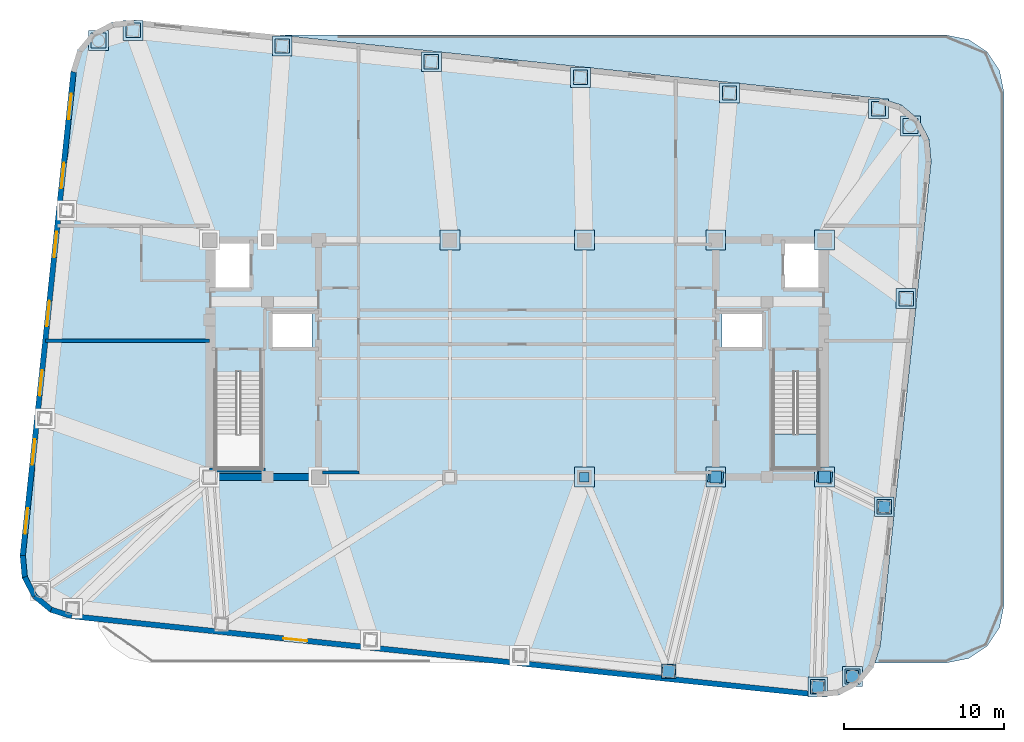
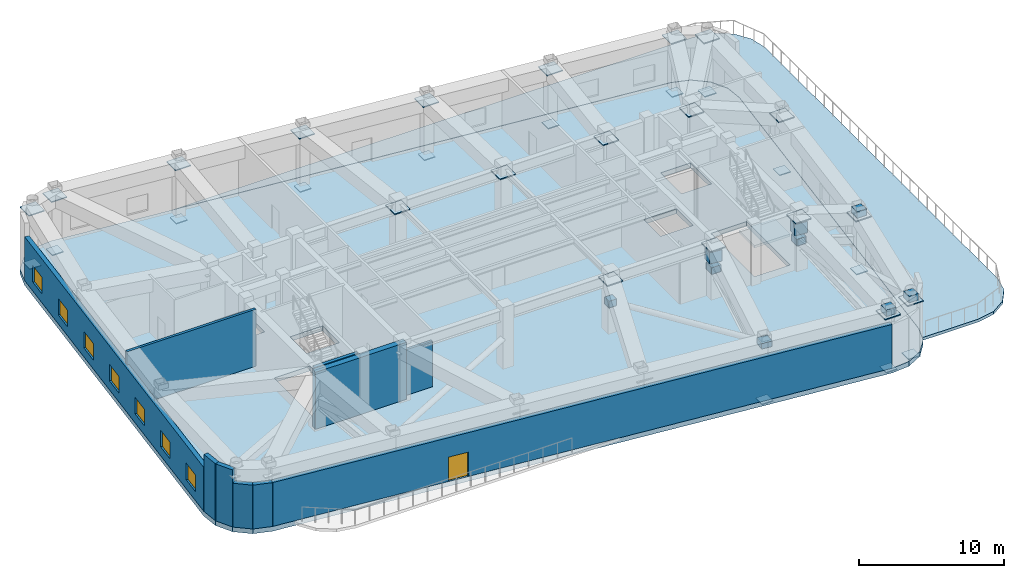
# One storey, part 3 of 9: 41 plates, 10 walls, 7 windows, 3 slabs, 1 door, 8 openings, 1 element without a shape of its own.
"""IFC4 building model written with IfcOpenShell, lengths in metres."""

from ifc_helpers import new_model, si_unit, direction, frame, frame_2d, origin, origin_2d, place, context, subcontext, project, spatial, polyline, rectangle, outline, extrude, material, layer, layer_set, type_object, element, fill, aggregate, save


model = new_model("IFC4")

# Units and contexts
model_context = context("Model", 3, precision=1e-05, world=origin(), true_north=direction((0.0, 1.0)))
body_context = subcontext(model_context, "Body", "Model", "MODEL_VIEW")
ifc_project = project(units=[si_unit("LENGTHUNIT", "METRE"), si_unit("AREAUNIT", "SQUARE_METRE"), si_unit("VOLUMEUNIT", "CUBIC_METRE"), si_unit("PLANEANGLEUNIT", "RADIAN"), si_unit("MASSUNIT", "GRAM", prefix="KILO")], contexts=[model_context])

# Site, building, storey
site_placement = place(None, origin())
site = spatial("IfcSite", under=ifc_project, at=site_placement, CompositionType="ELEMENT")
building_placement = place(site_placement, origin())
building = spatial("IfcBuilding", under=site, at=building_placement, Name="Voryun Gate Residences", CompositionType="ELEMENT")
storey_placement = place(building_placement, frame((0.0, 0.0, 254.800048828125)))
storey = spatial("IfcBuildingStorey", under=building, at=storey_placement, Name="L63", CompositionType="ELEMENT", Elevation=254.800048828125)

# Plates
ifc_material_1 = material(Name="Steel SM355", Category="steel")
ifc_layer_1 = layer(ifc_material_1, 0.02490234375, Name="PLT_END_CAP_25")
ifc_layer_set_1 = layer_set([ifc_layer_1], Name="Steel SM355")
plate_type_1 = type_object("IfcPlateType", Name="PLT_END_CAP_25", PredefinedType="USERDEFINED", material=ifc_layer_set_1)
for number, where, z_axis, x_axis, name in (
    (1, (9.4658203125, -19.518310546875, -0.440185546875), (0.0, 0.0, 1.0), (1.0, 0.0, 0.0), "L63 Hollow Member End-Cap Plate EC-742"),
    (2, (18.774658203125, -20.49658203125, -0.440185546875), (0.0, 0.0, 1.0), (1.0, 0.0, 0.0), "L63 Hollow Member End-Cap Plate EC-743"),
):
    element("IfcPlate", number, at=place(storey_placement, frame(where, z_axis=z_axis, x_axis=x_axis)), inside=storey, type_object=plate_type_1, Name=name, ObjectType="BASE_PLATE", PredefinedType="USERDEFINED", context=body_context, shape_type="SweptSolid", body=[
        extrude(rectangle(XDim=0.889892578125, YDim=0.889892578125, at=origin_2d()), origin(), (0.0, 0.0, 1.0), 0.080078125),
    ])
plate_1_placement = place(storey_placement, frame((20.939453125, -19.855224609375, -0.440185546875), z_axis=(0.0, 0.0, 1.0), x_axis=(1.0, 0.0, 0.0)))
element("IfcPlate", 3, at=plate_1_placement, inside=storey, type_object=plate_type_1, Name="L63 Hollow Member End-Cap Plate EC-744", ObjectType="BASE_PLATE", PredefinedType="USERDEFINED", context=body_context, shape_type="SweptSolid", body=[
    extrude(rectangle(XDim=0.93994140625, YDim=0.93994140625, at=origin_2d()), origin(), (0.0, 0.0, 1.0), 0.080078125),
])
for number, where, z_axis, x_axis, name in (
    (4, (22.922607421875, -9.25244140625, -0.440185546875), (0.0, 0.0, 1.0), (1.0, 0.0, 0.0), "L63 Hollow Member End-Cap Plate EC-745"),
    (5, (24.28857421875, 3.743896484375, -0.440185546875), (0.0, 0.0, 1.0), (1.0, 0.0, 0.0), "L63 Hollow Member End-Cap Plate EC-746"),
):
    element("IfcPlate", number, at=place(storey_placement, frame(where, z_axis=z_axis, x_axis=x_axis)), inside=storey, type_object=plate_type_1, Name=name, ObjectType="BASE_PLATE", PredefinedType="USERDEFINED", context=body_context, shape_type="SweptSolid", body=[
        extrude(rectangle(XDim=0.889892578125, YDim=0.889892578125, at=origin_2d()), origin(), (0.0, 0.0, 1.0), 0.080078125),
    ])
plate_2_placement = place(storey_placement, frame((24.55322265625, 14.52734375, -0.440185546875), z_axis=(0.0, 0.0, 1.0), x_axis=(1.0, 0.0, 0.0)))
element("IfcPlate", 6, at=plate_2_placement, inside=storey, type_object=plate_type_1, Name="L63 Hollow Member End-Cap Plate EC-747", ObjectType="BASE_PLATE", PredefinedType="USERDEFINED", context=body_context, shape_type="SweptSolid", body=[
    extrude(rectangle(XDim=0.93994140625, YDim=0.93994140625, at=origin_2d()), origin(), (0.0, 0.0, 1.0), 0.080078125),
])
for number, where, z_axis, x_axis, name in (
    (7, (22.569091796875, 15.6044921875, -0.440185546875), (0.0, 0.0, 1.0), (1.0, 0.0, 0.0), "L63 Hollow Member End-Cap Plate EC-748"),
    (8, (13.26025390625, 16.5830078125, -0.440185546875), (0.0, 0.0, 1.0), (1.0, 0.0, 0.0), "L63 Hollow Member End-Cap Plate EC-749"),
    (9, (3.95166015625, 17.561279296875, -0.440185546875), (0.0, 0.0, 1.0), (1.0, 0.0, 0.0), "L63 Hollow Member End-Cap Plate EC-750"),
    (10, (-5.357177734375, 18.539794921875, -0.440185546875), (0.0, 0.0, 1.0), (1.0, 0.0, 0.0), "L63 Hollow Member End-Cap Plate EC-751"),
    (11, (-14.666015625, 19.518310546875, -0.440185546875), (0.0, 0.0, 1.0), (1.0, 0.0, 0.0), "L63 Hollow Member End-Cap Plate EC-752"),
    (12, (-23.974609375, 20.49658203125, -0.440185546875), (0.0, 0.0, 1.0), (1.0, 0.0, 0.0), "L63 Hollow Member End-Cap Plate EC-753"),
):
    element("IfcPlate", number, at=place(storey_placement, frame(where, z_axis=z_axis, x_axis=x_axis)), inside=storey, type_object=plate_type_1, Name=name, ObjectType="BASE_PLATE", PredefinedType="USERDEFINED", context=body_context, shape_type="SweptSolid", body=[
        extrude(rectangle(XDim=0.889892578125, YDim=0.889892578125, at=origin_2d()), origin(), (0.0, 0.0, 1.0), 0.080078125),
    ])
plate_3_placement = place(storey_placement, frame((-26.139404296875, 19.855224609375, -0.440185546875), z_axis=(0.0, 0.0, 1.0), x_axis=(1.0, 0.0, 0.0)))
element("IfcPlate", 13, at=plate_3_placement, inside=storey, type_object=plate_type_1, Name="L63 Hollow Member End-Cap Plate EC-754", ObjectType="BASE_PLATE", PredefinedType="USERDEFINED", context=body_context, shape_type="SweptSolid", body=[
    extrude(rectangle(XDim=0.93994140625, YDim=0.93994140625, at=origin_2d()), origin(), (0.0, 0.0, 1.0), 0.080078125),
])
for number, where, z_axis, x_axis, name in (
    (14, (18.774658203125, -20.49658203125, 4.2099609375), (0.0, 0.0, 1.0), (1.0, 0.0, 0.0), "L63 Hollow Member End-Cap Plate EC-761"),
    (15, (20.939453125, -19.855224609375, 4.2099609375), (0.0, 0.0, 1.0), (1.0, 0.0, 0.0), "L63 Hollow Member End-Cap Plate EC-762"),
    (16, (22.922607421875, -9.25244140625, 4.2099609375), (0.0, 0.0, 1.0), (1.0, 0.0, 0.0), "L63 Hollow Member End-Cap Plate EC-763"),
    (17, (24.28857421875, 3.743896484375, 4.2099609375), (0.0, 0.0, 1.0), (1.0, 0.0, 0.0), "L63 Hollow Member End-Cap Plate EC-764"),
    (18, (24.55322265625, 14.52734375, 4.2099609375), (0.0, 0.0, 1.0), (1.0, 0.0, 0.0), "L63 Hollow Member End-Cap Plate EC-765"),
    (19, (22.569091796875, 15.6044921875, 4.2099609375), (0.0, 0.0, 1.0), (1.0, 0.0, 0.0), "L63 Hollow Member End-Cap Plate EC-766"),
    (20, (13.26025390625, 16.5830078125, 4.2099609375), (0.0, 0.0, 1.0), (1.0, 0.0, 0.0), "L63 Hollow Member End-Cap Plate EC-767"),
    (21, (3.95166015625, 17.561279296875, 4.2099609375), (0.0, 0.0, 1.0), (1.0, 0.0, 0.0), "L63 Hollow Member End-Cap Plate EC-768"),
    (22, (-5.357177734375, 18.539794921875, 4.2099609375), (0.0, 0.0, 1.0), (1.0, 0.0, 0.0), "L63 Hollow Member End-Cap Plate EC-769"),
    (23, (-14.666015625, 19.51806640625, 4.2099609375), (0.0, 0.0, 1.0), (1.0, 0.0, 0.0), "L63 Hollow Member End-Cap Plate EC-770"),
    (24, (-23.974609375, 20.49658203125, 4.2099609375), (0.0, 0.0, 1.0), (1.0, 0.0, 0.0), "L63 Hollow Member End-Cap Plate EC-771"),
    (25, (-26.139404296875, 19.855224609375, 4.2099609375), (0.0, 0.0, 1.0), (1.0, 0.0, 0.0), "L63 Hollow Member End-Cap Plate EC-772"),
    (26, (4.199951171875, -7.39990234375, 4.2099609375), (0.0, 0.0, 1.0), (1.0, 0.0, 0.0), "L63 Hollow Member End-Cap Plate EC-780"),
    (27, (12.39990234375, -7.39990234375, 4.2099609375), (0.0, 0.0, 1.0), (1.0, 0.0, 0.0), "L63 Hollow Member End-Cap Plate EC-781"),
    (28, (19.199951171875, -7.39990234375, 4.2099609375), (0.0, 0.0, 1.0), (1.0, 0.0, 0.0), "L63 Hollow Member End-Cap Plate EC-782"),
    (29, (19.199951171875, 7.39990234375, 4.2099609375), (0.0, 0.0, 1.0), (1.0, 0.0, 0.0), "L63 Hollow Member End-Cap Plate EC-783"),
    (30, (12.39990234375, 7.39990234375, 4.2099609375), (0.0, 0.0, 1.0), (1.0, 0.0, 0.0), "L63 Hollow Member End-Cap Plate EC-784"),
    (31, (4.199951171875, 7.39990234375, 4.2099609375), (0.0, 0.0, 1.0), (1.0, 0.0, 0.0), "L63 Hollow Member End-Cap Plate EC-785"),
    (32, (-4.199951171875, 7.39990234375, 4.2099609375), (0.0, 0.0, 1.0), (1.0, 0.0, 0.0), "L63 Hollow Member End-Cap Plate EC-786"),
):
    element("IfcPlate", number, at=place(storey_placement, frame(where, z_axis=z_axis, x_axis=x_axis)), inside=storey, type_object=plate_type_1, Name=name, ObjectType="BASE_PLATE", PredefinedType="USERDEFINED", context=body_context, shape_type="SweptSolid", body=[
        extrude(rectangle(XDim=1.239990234375, YDim=1.239990234375, at=origin_2d()), origin(), (0.0, 0.0, 1.0), 0.080078125),
    ])
for number, where, z_axis, x_axis, name in (
    (33, (19.199951171875, -7.39990234375, 2.119873046875), (0.0, 0.0, 1.0), (1.0, 0.0, 0.0), "L63 Brace Node Connection Plate BN-794"),
    (34, (20.939453125, -19.855224609375, 4.27001953125), (0.0, 0.0, 1.0), (1.0, 0.0, 0.0), "L63 Brace Node Connection Plate BN-796"),
):
    element("IfcPlate", number, at=place(storey_placement, frame(where, z_axis=z_axis, x_axis=x_axis)), inside=storey, type_object=plate_type_1, Name=name, ObjectType="BASE_PLATE", PredefinedType="USERDEFINED", context=body_context, shape_type="SweptSolid", body=[
        extrude(rectangle(XDim=0.739990234375, YDim=0.739990234375, at=origin_2d()), origin(), (0.0, 0.0, 1.0), 0.56005859375),
    ])
ifc_material_2 = material(Name="Steel SM420", Category="steel")
ifc_layer_2 = layer(ifc_material_2, 0.035888671875, Name="PLT_OUTRIGGER_GUSSET_36")
ifc_layer_set_2 = layer_set([ifc_layer_2], Name="Steel SM420")
plate_type_2 = type_object("IfcPlateType", Name="PLT_OUTRIGGER_GUSSET_36", PredefinedType="USERDEFINED", material=ifc_layer_set_2)
for number, where, z_axis, x_axis, name in (
    (35, (12.39990234375, -7.39990234375, 3.0), (0.0, 0.0, 1.0), (0.994521895368, -0.104528463268, 0.0), "L63 Outrigger Gusset Plate ON-S5"),
    (36, (19.199951171875, -7.39990234375, 3.0), (0.0, 0.0, 1.0), (0.994521895368, -0.104528463268, 0.0), "L63 Outrigger Gusset Plate ON-S6"),
):
    element("IfcPlate", number, at=place(storey_placement, frame(where, z_axis=z_axis, x_axis=x_axis)), inside=storey, type_object=plate_type_2, Name=name, ObjectType="GUSSET_PLATE", PredefinedType="USERDEFINED", context=body_context, shape_type="SweptSolid", body=[
        extrude(rectangle(XDim=0.949951171875, YDim=0.719970703125, at=origin_2d()), origin(), (0.0, 0.0, 1.0), 0.949951171875),
    ])
plate_4_placement = place(storey_placement, frame((4.199951171875, -7.39990234375, 2.099853515625), z_axis=(0.0, 0.0, 1.0), x_axis=(1.0, 0.0, 0.0)))
element("IfcPlate", 37, at=plate_4_placement, inside=storey, type_object=plate_type_2, Name="L63 Brace Node Connection Plate BN-777", ObjectType="GUSSET_PLATE", PredefinedType="USERDEFINED", context=body_context, shape_type="SweptSolid", body=[
    extrude(rectangle(XDim=0.60009765625, YDim=0.60009765625, at=origin_2d()), origin(), (0.0, 0.0, 1.0), 0.56005859375),
])
for number, where, z_axis, x_axis, name in (
    (38, (12.39990234375, -7.39990234375, 2.119873046875), (0.0, 0.0, 1.0), (1.0, 0.0, 0.0), "L63 Brace Node Connection Plate BN-793"),
    (39, (18.774658203125, -20.49658203125, 4.27001953125), (0.0, 0.0, 1.0), (1.0, 0.0, 0.0), "L63 Brace Node Connection Plate BN-795"),
    (40, (22.922607421875, -9.25244140625, 4.27001953125), (0.0, 0.0, 1.0), (1.0, 0.0, 0.0), "L63 Brace Node Connection Plate BN-797"),
):
    element("IfcPlate", number, at=place(storey_placement, frame(where, z_axis=z_axis, x_axis=x_axis)), inside=storey, type_object=plate_type_2, Name=name, ObjectType="GUSSET_PLATE", PredefinedType="USERDEFINED", context=body_context, shape_type="SweptSolid", body=[
        extrude(rectangle(XDim=0.739990234375, YDim=0.739990234375, at=origin_2d()), origin(), (0.0, 0.0, 1.0), 0.56005859375),
    ])
ifc_material_3 = material(Name="Steel SM420", Category="steel")
ifc_layer_3 = layer(ifc_material_3, 0.031982421875, Name="PLT_SPLICE_PLATE_32")
ifc_layer_set_3 = layer_set([ifc_layer_3], Name="Steel SM420")
plate_type_3 = type_object("IfcPlateType", Name="PLT_SPLICE_PLATE_32", PredefinedType="USERDEFINED", material=ifc_layer_set_3)
plate_5_placement = place(storey_placement, frame((9.4658203125, -19.51806640625, 4.22509765625), z_axis=(0.0, 0.0, 1.0), x_axis=(0.994521895368, -0.104528463268, 0.0)))
element("IfcPlate", 41, at=plate_5_placement, inside=storey, type_object=plate_type_3, Name="L63 Mechanical Strut Splice Plate KN-S5", ObjectType="SPLICE_PLATE", PredefinedType="USERDEFINED", context=body_context, shape_type="SweptSolid", body=[
    extrude(rectangle(XDim=0.800048828125, YDim=0.800048828125, at=origin_2d()), origin(), (0.0, 0.0, 1.0), 0.449951171875),
])

# Stair, slab
ifc_material_4 = material(Name="Concrete C40/50", Category="concrete")
stair_type = type_object("IfcStairType", Name="STR_CORE_DOGLEG_1350", PredefinedType="HALF_TURN_STAIR", material=ifc_material_4)
stair_placement = place(storey_placement, origin())
stair = element("IfcStair", 42, at=stair_placement, inside=storey, type_object=stair_type, Name="L63 Special Escape Stair ST-E1", PredefinedType="HALF_TURN_STAIR")
ifc_material_5 = material(Name="Concrete C40/50", Category="concrete")
ifc_layer_4 = layer(ifc_material_5, 0.199951171875, Name="SLB_STAIR_LANDING_200")
ifc_layer_set_4 = layer_set([ifc_layer_4], Name="Concrete C40/50")
slab_type_1 = type_object("IfcSlabType", Name="SLB_STAIR_LANDING_200", PredefinedType="LANDING", material=ifc_layer_set_4)
slab_1_placement = place(storey_placement, frame((0.0, 0.0, 2.39990234375)))
slab_1 = element("IfcSlab", 43, at=slab_1_placement, type_object=slab_type_1, Name="ST-E1 landing 1", PredefinedType="LANDING", context=body_context, shape_type="SweptSolid", body=[
    extrude(outline(polyline([(15.97509765625, -4.719970703125), (15.97509765625, -6.85009765625), (18.824951171875, -6.85009765625), (18.824951171875, -4.719970703125), (15.97509765625, -4.719970703125)])), origin(), (0.0, 0.0, 1.0), 0.199951171875),
])
aggregate(stair, [slab_1])

# Slabs
ifc_material_6 = material(Name="Concrete C40/50", Category="concrete")
ifc_layer_5 = layer(ifc_material_6, 0.239990234375, Name="SLB_TERRACE_ROOF_240")
ifc_layer_set_5 = layer_set([ifc_layer_5], Name="Concrete C40/50")
slab_type_2 = type_object("IfcSlabType", Name="SLB_TERRACE_ROOF_240", PredefinedType="ROOF", material=ifc_layer_set_5)
slab_2_placement = place(storey_placement, frame((0.0, 0.0, -0.239990234375)))
element("IfcSlab", 44, at=slab_2_placement, inside=storey, type_object=slab_type_2, Name="Spiralling Setback Sky-Garden Terrace Roof 1", PredefinedType="ROOF", context=body_context, shape_type="SweptSolid", body=[
    extrude(outline(polyline([(26.800048828125, 20.199951171875), (28.177734375, 19.926025390625), (29.345458984375, 19.1455078125), (30.1259765625, 17.9775390625), (30.39990234375, 16.60009765625), (30.39990234375, -15.39990234375), (30.1259765625, -16.777587890625), (29.345458984375, -17.945556640625), (28.177734375, -18.72607421875), (26.800048828125, -19.0), (22.339111328125, -19.0), (22.66796875, -17.9404296875), (22.668212890625, -17.93994140625), (22.668212890625, -17.939453125), (25.845947265625, 12.2939453125), (25.845947265625, 12.29443359375), (25.845947265625, 12.294921875), (25.71728515625, 13.693603515625), (25.71728515625, 13.694091796875), (25.71728515625, 13.694580078125), (25.717041015625, 13.695068359375), (25.716796875, 13.695556640625), (25.062744140625, 14.938720703125), (25.0625, 14.93896484375), (25.062255859375, 14.939453125), (25.06201171875, 14.93994140625), (25.0615234375, 14.940185546875), (23.981689453125, 15.83837890625), (23.981201171875, 15.838623046875), (23.980712890625, 15.8388671875), (23.98046875, 15.839111328125), (23.97998046875, 15.83935546875), (22.638427734375, 16.255859375), (22.637939453125, 16.255859375), (22.637451171875, 16.256103515625), (-14.886962890625, 20.199951171875), (26.800048828125, 20.199951171875)])), origin(), (0.0, 0.0, 1.0), 0.239990234375),
])
ifc_material_7 = material(Name="Concrete C50/60", Category="concrete")
ifc_layer_6 = layer(ifc_material_7, 0.39990234375, Name="SLB_XFER_400")
ifc_layer_set_6 = layer_set([ifc_layer_6], Name="Concrete C50/60")
slab_type_3 = type_object("IfcSlabType", Name="SLB_XFER_400", PredefinedType="FLOOR", material=ifc_layer_set_6)
slab_3_placement = place(storey_placement, frame((0.0, 0.0, -0.400146484375)))
element("IfcSlab", 45, at=slab_3_placement, inside=storey, type_object=slab_type_3, Name="L63 Structural Floor Slab", PredefinedType="FLOOR", context=body_context, shape_type="SweptSolid", body=[
    extrude(outline(polyline([(-27.8369140625, -16.2509765625), (-29.178466796875, -15.83447265625), (-30.25830078125, -14.936279296875), (-30.912353515625, -13.693115234375), (-31.041015625, -12.29443359375), (-27.86328125, 17.93896484375), (-27.44677734375, 19.280517578125), (-26.548583984375, 20.3603515625), (-25.305419921875, 21.014404296875), (-23.90673828125, 21.14306640625), (22.636962890625, 16.2509765625), (23.978515625, 15.83447265625), (25.058349609375, 14.936279296875), (25.71240234375, 13.693115234375), (25.8408203125, 12.29443359375), (22.663330078125, -17.93896484375), (22.246826171875, -19.280517578125), (21.3486328125, -20.3603515625), (20.10546875, -21.014404296875), (18.706787109375, -21.14306640625), (-27.8369140625, -16.2509765625)]), holes=[polyline([(-15.97509765625, -0.840087890625), (-18.824951171875, -0.840087890625), (-18.824951171875, -6.85009765625), (-15.97509765625, -6.85009765625), (-15.97509765625, -0.840087890625)]), polyline([(18.824951171875, -6.85009765625), (18.824951171875, -0.840087890625), (15.97509765625, -0.840087890625), (15.97509765625, -6.85009765625), (18.824951171875, -6.85009765625)]), polyline([(-12.800048828125, 2.89990234375), (-15.39990234375, 2.89990234375), (-15.39990234375, 0.60009765625), (-12.800048828125, 0.60009765625), (-12.800048828125, 2.89990234375)]), polyline([(12.800048828125, 2.89990234375), (12.800048828125, 0.60009765625), (15.39990234375, 0.60009765625), (15.39990234375, 2.89990234375), (12.800048828125, 2.89990234375)]), polyline([(-16.60009765625, 7.199951171875), (-19.0, 7.199951171875), (-19.0, 4.300048828125), (-16.60009765625, 4.300048828125), (-16.60009765625, 7.199951171875)]), polyline([(19.0, 7.199951171875), (16.60009765625, 7.199951171875), (16.60009765625, 4.300048828125), (19.0, 4.300048828125), (19.0, 7.199951171875)])]), origin(), (0.0, 0.0, 1.0), 0.400146484375),
])

# Walls
ifc_material_8 = material(Name="Concrete C50/60", Category="concrete")
ifc_layer_7 = layer(ifc_material_8, 0.449951171875, Name="CW_CORE_450")
ifc_layer_set_7 = layer_set([ifc_layer_7], Name="Concrete C50/60")
wall_type_1 = type_object("IfcWallType", Name="CW_CORE_450", PredefinedType="SHEAR", material=ifc_layer_set_7)
wall_1_placement = place(storey_placement, frame((-19.425048828125, -7.39990234375, 0.0), z_axis=(0.0, 0.0, 1.0), x_axis=(1.0, 0.0, 0.0)))
element("IfcWall", 46, at=wall_1_placement, inside=storey, type_object=wall_type_1, Name="L63 Core shear wall CW-L63-WS", PredefinedType="SHEAR", context=body_context, shape_type="SweptSolid", body=[
    extrude(rectangle(XDim=7.25, YDim=0.449951171875, at=frame_2d((3.625, 0.0))), origin(), (0.0, 0.0, 1.0), 4.800048828125),
])
ifc_material_9 = material(Name="Gypsum acoustic fireboard")
ifc_layer_8 = layer(ifc_material_9, 0.179931640625, Name="W_CORR_RATED_180")
ifc_layer_set_8 = layer_set([ifc_layer_8], Name="Gypsum acoustic fireboard")
wall_type_2 = type_object("IfcWallType", Name="W_CORR_RATED_180", PredefinedType="PARTITIONING", material=ifc_layer_set_8)
wall_2_placement = place(storey_placement, frame((-12.14990234375, -7.1201171875, 0.0), z_axis=(0.0, 0.0, 1.0), x_axis=(1.0, 0.0, 0.0)))
element("IfcWall", 47, at=wall_2_placement, inside=storey, type_object=wall_type_2, Name="Partition wall WP-L63-PLBS-W", PredefinedType="PARTITIONING", context=body_context, shape_type="SweptSolid", body=[
    extrude(rectangle(XDim=2.27001953125, YDim=0.179931640625, at=frame_2d((1.135009765625, 0.0))), origin(), (0.0, 0.0, 1.0), 3.83984375),
])

# Wall, opening, door
ifc_material_10 = material(Name="Charcoal terracotta masonry", Category="masonry")
ifc_layer_9 = layer(ifc_material_10, 0.340087890625, Name="W_EXT_TERRACOTTA_340")
ifc_layer_set_9 = layer_set([ifc_layer_9], Name="Charcoal terracotta masonry")
wall_type_3 = type_object("IfcWallType", Name="W_EXT_TERRACOTTA_340", PredefinedType="ELEMENTEDWALL", material=ifc_layer_set_9)
wall_3_placement = place(storey_placement, frame((18.707763671875, -20.97216796875, 0.0), z_axis=(0.0, 0.0, 1.0), x_axis=(-0.994521888554, 0.104528528102, 0.0)))
wall_3 = element("IfcWall", 48, at=wall_3_placement, inside=storey, type_object=wall_type_3, Name="Exterior wall WEXT-L63-01", PredefinedType="ELEMENTEDWALL", context=body_context, shape_type="SweptSolid", body=[
    extrude(rectangle(XDim=46.766357421875, YDim=0.340087890625, at=frame_2d((23.38330078125, 0.0))), origin(), (0.0, 0.0, 1.0), 3.68994140625),
])
opening_1_placement = place(wall_3_placement, frame((31.987060546875, 0.0, 0.0)))
opening_1 = element("IfcOpeningElement", 49, at=opening_1_placement, cuts=wall_3, Name="Opening D-TER-1", PredefinedType="OPENING", context=body_context, shape_type="SweptSolid", body=[
    extrude(rectangle(XDim=1.5, YDim=2.050048828125, at=frame_2d((0.75, 1.02490234375))), frame((0.0, 0.179931640625, 0.0), z_axis=(0.0, -1.0, 0.0), x_axis=(1.0, 0.0, 0.0)), (0.0, 0.0, 1.0), 0.360107421875),
])
ifc_material_11 = material(Name="Thermally broken aluminium and low-E glass", Category="aluminium")
door_type = type_object("IfcDoorType", Name="DR_TERR_EXIT_1500", OperationType="NOTDEFINED", PredefinedType="DOOR", material=ifc_material_11)
door_placement = place(opening_1_placement, origin())
door = element("IfcDoor", 50, at=door_placement, inside=storey, type_object=door_type, Name="Door DR-L63-OUT-02", OperationType="DOUBLE_DOOR_SINGLE_SWING", OverallHeight=2.050048828125, OverallWidth=1.5, PredefinedType="DOOR", context=body_context, shape_type="SweptSolid", body=[
    extrude(rectangle(XDim=1.5, YDim=2.050048828125, at=frame_2d((0.75, 1.02490234375))), frame((0.0, 0.02490234375, 0.0), z_axis=(0.0, -1.0, 0.0), x_axis=(1.0, 0.0, 0.0)), (0.0, 0.0, 1.0), 0.050048828125),
])
fill(opening_1, door)

# Walls
wall_4_placement = place(storey_placement, frame((-27.802490234375, -16.083740234375, 0.0), z_axis=(0.0, 0.0, 1.0), x_axis=(-0.955007802701, 0.296580674994, 0.0)))
element("IfcWall", 51, at=wall_4_placement, inside=storey, type_object=wall_type_3, Name="Exterior wall WEXT-L63-02", PredefinedType="ELEMENTEDWALL", context=body_context, shape_type="SweptSolid", body=[
    extrude(rectangle(XDim=1.354248046875, YDim=0.340087890625, at=frame_2d((0.67724609375, 0.0))), origin(), (0.0, 0.0, 1.0), 3.68994140625),
])
wall_5_placement = place(storey_placement, frame((-29.095703125, -15.68212890625, 0.0), z_axis=(0.0, 0.0, 1.0), x_axis=(-0.768864427906, 0.639411832469, 0.0)))
element("IfcWall", 52, at=wall_5_placement, inside=storey, type_object=wall_type_3, Name="Exterior wall WEXT-L63-03", PredefinedType="ELEMENTEDWALL", context=body_context, shape_type="SweptSolid", body=[
    extrude(rectangle(XDim=1.337158203125, YDim=0.340087890625, at=frame_2d((0.66845703125, 0.0))), origin(), (0.0, 0.0, 1.0), 3.68994140625),
])
wall_6_placement = place(storey_placement, frame((-30.123779296875, -14.8271484375, 0.0), z_axis=(0.0, 0.0, 1.0), x_axis=(-0.465528132217, 0.885033083062, 0.0)))
element("IfcWall", 53, at=wall_6_placement, inside=storey, type_object=wall_type_3, Name="Exterior wall WEXT-L63-04", PredefinedType="ELEMENTEDWALL", context=body_context, shape_type="SweptSolid", body=[
    extrude(rectangle(XDim=1.3369140625, YDim=0.340087890625, at=frame_2d((0.66845703125, 0.0))), origin(), (0.0, 0.0, 1.0), 4.800048828125),
])
wall_7_placement = place(storey_placement, frame((-30.74609375, -13.64404296875, 0.0), z_axis=(0.0, 0.0, 1.0), x_axis=(-0.091592370975, 0.995796584438, 0.0)))
element("IfcWall", 54, at=wall_7_placement, inside=storey, type_object=wall_type_3, Name="Exterior wall WEXT-L63-05", PredefinedType="ELEMENTEDWALL", context=body_context, shape_type="SweptSolid", body=[
    extrude(rectangle(XDim=1.35400390625, YDim=0.340087890625, at=frame_2d((0.677001953125, 0.0))), origin(), (0.0, 0.0, 1.0), 4.800048828125),
])

# Wall, openings, windows
wall_8_placement = place(storey_placement, frame((-30.8701171875, -12.295654296875, 0.0), z_axis=(0.0, 0.0, 1.0), x_axis=(0.104533282919, 0.994521388791, 0.0)))
wall_8 = element("IfcWall", 55, at=wall_8_placement, inside=storey, type_object=wall_type_3, Name="Exterior wall WEXT-L63-06", PredefinedType="ELEMENTEDWALL", context=body_context, shape_type="SweptSolid", body=[
    extrude(rectangle(XDim=30.366455078125, YDim=0.340087890625, at=frame_2d((15.18310546875, 0.0))), origin(), (0.0, 0.0, 1.0), 3.68994140625),
])
opening_2_placement = place(wall_8_placement, frame((1.368896484375, 0.0, 0.75)))
opening_2 = element("IfcOpeningElement", 56, at=opening_2_placement, cuts=wall_8, Name="Opening WN8", PredefinedType="OPENING", context=body_context, shape_type="SweptSolid", body=[
    extrude(rectangle(XDim=1.60009765625, YDim=1.39990234375, at=frame_2d((0.800048828125, 0.699951171875))), frame((0.0, 0.179931640625, 0.0), z_axis=(0.0, -1.0, 0.0), x_axis=(1.0, 0.0, 0.0)), (0.0, 0.0, 1.0), 0.360107421875),
])
opening_3_placement = place(wall_8_placement, frame((5.70703125, 0.0, 0.75)))
opening_3 = element("IfcOpeningElement", 57, at=opening_3_placement, cuts=wall_8, Name="Opening WN8", PredefinedType="OPENING", context=body_context, shape_type="SweptSolid", body=[
    extrude(rectangle(XDim=1.60009765625, YDim=1.39990234375, at=frame_2d((0.800048828125, 0.699951171875))), frame((0.0, 0.179931640625, 0.0), z_axis=(0.0, -1.0, 0.0), x_axis=(1.0, 0.0, 0.0)), (0.0, 0.0, 1.0), 0.360107421875),
])
opening_4_placement = place(wall_8_placement, frame((10.045166015625, 0.0, 0.75)))
opening_4 = element("IfcOpeningElement", 58, at=opening_4_placement, cuts=wall_8, Name="Opening WN8", PredefinedType="OPENING", context=body_context, shape_type="SweptSolid", body=[
    extrude(rectangle(XDim=1.60009765625, YDim=1.39990234375, at=frame_2d((0.800048828125, 0.699951171875))), frame((0.0, 0.179931640625, 0.0), z_axis=(0.0, -1.0, 0.0), x_axis=(1.0, 0.0, 0.0)), (0.0, 0.0, 1.0), 0.360107421875),
])
opening_5_placement = place(wall_8_placement, frame((14.38330078125, 0.0, 0.75)))
opening_5 = element("IfcOpeningElement", 59, at=opening_5_placement, cuts=wall_8, Name="Opening WN8", PredefinedType="OPENING", context=body_context, shape_type="SweptSolid", body=[
    extrude(rectangle(XDim=1.60009765625, YDim=1.39990234375, at=frame_2d((0.800048828125, 0.699951171875))), frame((0.0, 0.179931640625, 0.0), z_axis=(0.0, -1.0, 0.0), x_axis=(1.0, 0.0, 0.0)), (0.0, 0.0, 1.0), 0.360107421875),
])
opening_6_placement = place(wall_8_placement, frame((18.721435546875, 0.0, 0.75)))
opening_6 = element("IfcOpeningElement", 60, at=opening_6_placement, cuts=wall_8, Name="Opening WN8", PredefinedType="OPENING", context=body_context, shape_type="SweptSolid", body=[
    extrude(rectangle(XDim=1.60009765625, YDim=1.39990234375, at=frame_2d((0.800048828125, 0.699951171875))), frame((0.0, 0.179931640625, 0.0), z_axis=(0.0, -1.0, 0.0), x_axis=(1.0, 0.0, 0.0)), (0.0, 0.0, 1.0), 0.360107421875),
])
opening_7_placement = place(wall_8_placement, frame((23.059326171875, 0.0, 0.75)))
opening_7 = element("IfcOpeningElement", 61, at=opening_7_placement, cuts=wall_8, Name="Opening WN8", PredefinedType="OPENING", context=body_context, shape_type="SweptSolid", body=[
    extrude(rectangle(XDim=1.60009765625, YDim=1.39990234375, at=frame_2d((0.800048828125, 0.699951171875))), frame((0.0, 0.179931640625, 0.0), z_axis=(0.0, -1.0, 0.0), x_axis=(1.0, 0.0, 0.0)), (0.0, 0.0, 1.0), 0.360107421875),
])
opening_8_placement = place(wall_8_placement, frame((27.3974609375, 0.0, 0.75)))
opening_8 = element("IfcOpeningElement", 62, at=opening_8_placement, cuts=wall_8, Name="Opening WN8", PredefinedType="OPENING", context=body_context, shape_type="SweptSolid", body=[
    extrude(rectangle(XDim=1.60009765625, YDim=1.39990234375, at=frame_2d((0.800048828125, 0.699951171875))), frame((0.0, 0.179931640625, 0.0), z_axis=(0.0, -1.0, 0.0), x_axis=(1.0, 0.0, 0.0)), (0.0, 0.0, 1.0), 0.360107421875),
])
ifc_material_12 = material(Name="Anodised aluminium", Category="aluminium")
window_type = type_object("IfcWindowType", Name="WN_REFUGE_LOUVRE_1600", PartitioningType="SINGLE_PANEL", PredefinedType="WINDOW", material=ifc_material_12)
window_1_placement = place(opening_2_placement, origin())
window_1 = element("IfcWindow", 63, at=window_1_placement, inside=storey, type_object=window_type, Name="Window WN-L63-LV-06-01", OverallHeight=1.39990234375, OverallWidth=1.60009765625, PartitioningType="SINGLE_PANEL", PredefinedType="WINDOW", context=body_context, shape_type="SweptSolid", body=[
    extrude(rectangle(XDim=1.60009765625, YDim=1.39990234375, at=frame_2d((0.800048828125, 0.699951171875))), frame((0.0, 0.030029296875, 0.0), z_axis=(0.0, -1.0, 0.0), x_axis=(1.0, 0.0, 0.0)), (0.0, 0.0, 1.0), 0.06005859375),
])
fill(opening_2, window_1)
window_2_placement = place(opening_3_placement, origin())
window_2 = element("IfcWindow", 64, at=window_2_placement, inside=storey, type_object=window_type, Name="Window WN-L63-LV-06-02", OverallHeight=1.39990234375, OverallWidth=1.60009765625, PartitioningType="SINGLE_PANEL", PredefinedType="WINDOW", context=body_context, shape_type="SweptSolid", body=[
    extrude(rectangle(XDim=1.60009765625, YDim=1.39990234375, at=frame_2d((0.800048828125, 0.699951171875))), frame((0.0, 0.030029296875, 0.0), z_axis=(0.0, -1.0, 0.0), x_axis=(1.0, 0.0, 0.0)), (0.0, 0.0, 1.0), 0.06005859375),
])
fill(opening_3, window_2)
window_3_placement = place(opening_4_placement, origin())
window_3 = element("IfcWindow", 65, at=window_3_placement, inside=storey, type_object=window_type, Name="Window WN-L63-LV-06-03", OverallHeight=1.39990234375, OverallWidth=1.60009765625, PartitioningType="SINGLE_PANEL", PredefinedType="WINDOW", context=body_context, shape_type="SweptSolid", body=[
    extrude(rectangle(XDim=1.60009765625, YDim=1.39990234375, at=frame_2d((0.800048828125, 0.699951171875))), frame((0.0, 0.030029296875, 0.0), z_axis=(0.0, -1.0, 0.0), x_axis=(1.0, 0.0, 0.0)), (0.0, 0.0, 1.0), 0.06005859375),
])
fill(opening_4, window_3)
window_4_placement = place(opening_5_placement, origin())
window_4 = element("IfcWindow", 66, at=window_4_placement, inside=storey, type_object=window_type, Name="Window WN-L63-LV-06-04", OverallHeight=1.39990234375, OverallWidth=1.60009765625, PartitioningType="SINGLE_PANEL", PredefinedType="WINDOW", context=body_context, shape_type="SweptSolid", body=[
    extrude(rectangle(XDim=1.60009765625, YDim=1.39990234375, at=frame_2d((0.800048828125, 0.699951171875))), frame((0.0, 0.030029296875, 0.0), z_axis=(0.0, -1.0, 0.0), x_axis=(1.0, 0.0, 0.0)), (0.0, 0.0, 1.0), 0.06005859375),
])
fill(opening_5, window_4)
window_5_placement = place(opening_6_placement, origin())
window_5 = element("IfcWindow", 67, at=window_5_placement, inside=storey, type_object=window_type, Name="Window WN-L63-LV-06-05", OverallHeight=1.39990234375, OverallWidth=1.60009765625, PartitioningType="SINGLE_PANEL", PredefinedType="WINDOW", context=body_context, shape_type="SweptSolid", body=[
    extrude(rectangle(XDim=1.60009765625, YDim=1.39990234375, at=frame_2d((0.800048828125, 0.699951171875))), frame((0.0, 0.030029296875, 0.0), z_axis=(0.0, -1.0, 0.0), x_axis=(1.0, 0.0, 0.0)), (0.0, 0.0, 1.0), 0.06005859375),
])
fill(opening_6, window_5)
window_6_placement = place(opening_7_placement, origin())
window_6 = element("IfcWindow", 68, at=window_6_placement, inside=storey, type_object=window_type, Name="Window WN-L63-LV-06-06", OverallHeight=1.39990234375, OverallWidth=1.60009765625, PartitioningType="SINGLE_PANEL", PredefinedType="WINDOW", context=body_context, shape_type="SweptSolid", body=[
    extrude(rectangle(XDim=1.60009765625, YDim=1.39990234375, at=frame_2d((0.800048828125, 0.699951171875))), frame((0.0, 0.030029296875, 0.0), z_axis=(0.0, -1.0, 0.0), x_axis=(1.0, 0.0, 0.0)), (0.0, 0.0, 1.0), 0.06005859375),
])
fill(opening_7, window_6)
window_7_placement = place(opening_8_placement, origin())
window_7 = element("IfcWindow", 69, at=window_7_placement, inside=storey, type_object=window_type, Name="Window WN-L63-LV-06-07", OverallHeight=1.39990234375, OverallWidth=1.60009765625, PartitioningType="SINGLE_PANEL", PredefinedType="WINDOW", context=body_context, shape_type="SweptSolid", body=[
    extrude(rectangle(XDim=1.60009765625, YDim=1.39990234375, at=frame_2d((0.800048828125, 0.699951171875))), frame((0.0, 0.030029296875, 0.0), z_axis=(0.0, -1.0, 0.0), x_axis=(1.0, 0.0, 0.0)), (0.0, 0.0, 1.0), 0.06005859375),
])
fill(opening_8, window_7)

# Walls
ifc_material_13 = material(Name="Concrete C40/50", Category="concrete")
ifc_layer_10 = layer(ifc_material_13, 0.199951171875, Name="W_FF_LOBBY_200")
ifc_layer_set_10 = layer_set([ifc_layer_10], Name="Concrete C40/50")
wall_type_4 = type_object("IfcWallType", Name="W_FF_LOBBY_200", PredefinedType="PARTITIONING", material=ifc_layer_set_10)
wall_9_placement = place(storey_placement, frame((-29.460205078125, 1.1201171875, 0.0), z_axis=(0.0, 0.0, 1.0), x_axis=(1.0, 0.0, 0.0)))
element("IfcWall", 70, at=wall_9_placement, inside=storey, type_object=wall_type_4, Name="Partition wall WP-L63-PWN", PredefinedType="PARTITIONING", context=body_context, shape_type="SweptSolid", body=[
    extrude(rectangle(XDim=10.26025390625, YDim=0.199951171875, at=frame_2d((5.130126953125, 0.0))), origin(), (0.0, 0.0, 1.0), 4.800048828125),
])
ifc_material_14 = material(Name="Concrete C50/60", Category="concrete")
ifc_layer_11 = layer(ifc_material_14, 0.25, Name="W_SHAFT_RC250")
ifc_layer_set_11 = layer_set([ifc_layer_11], Name="Concrete C50/60")
wall_type_5 = type_object("IfcWallType", Name="W_SHAFT_RC250", PredefinedType="SOLIDWALL", material=ifc_layer_set_11)
wall_10_placement = place(storey_placement, frame((-19.199951171875, -6.965087890625, 0.0), z_axis=(0.0, 0.0, 1.0), x_axis=(1.0, 0.0, 0.0)))
element("IfcWall", 71, at=wall_10_placement, inside=storey, type_object=wall_type_5, Name="L63 Stair shaft structural wall W-STS", PredefinedType="SOLIDWALL", context=body_context, shape_type="SweptSolid", body=[
    extrude(rectangle(XDim=3.4599609375, YDim=0.25, at=frame_2d((1.72998046875, 0.0))), origin(), (0.0, 0.0, 1.0), 4.800048828125),
])

save(model, "model.ifc")
